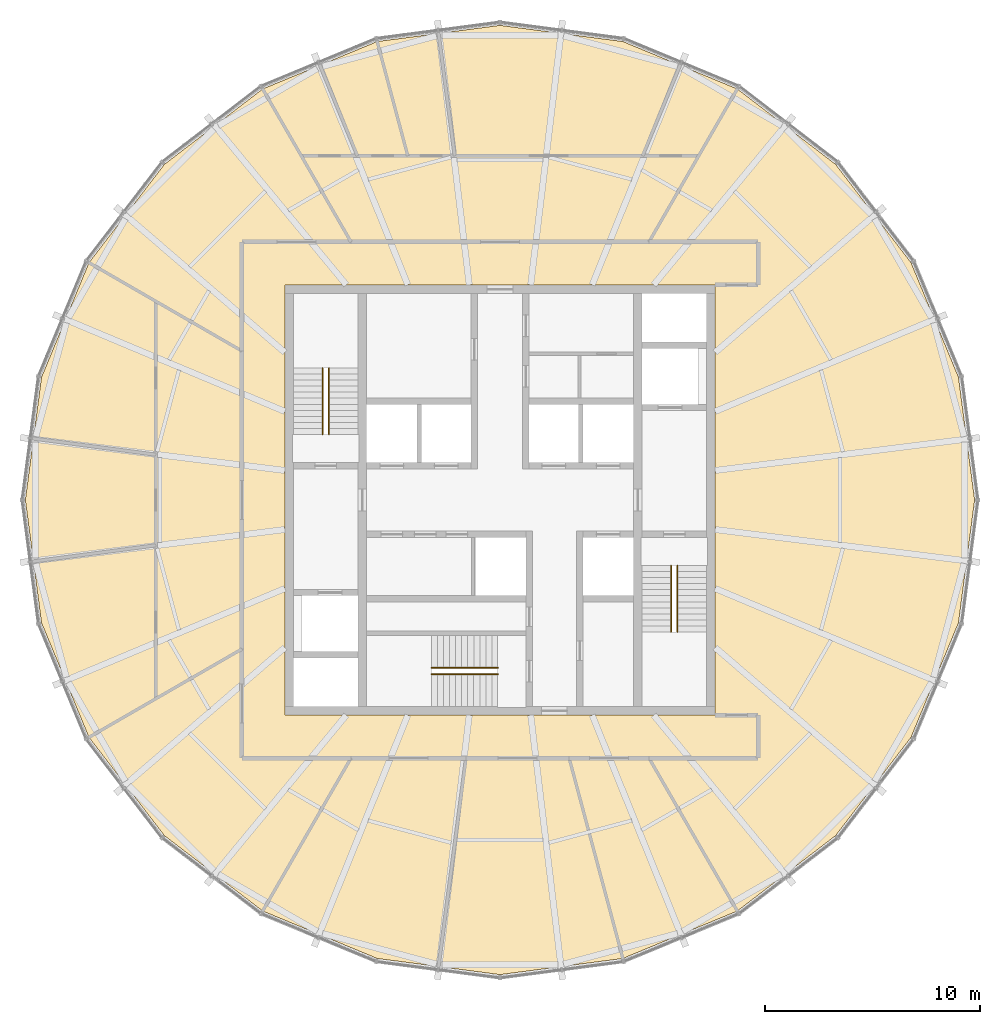
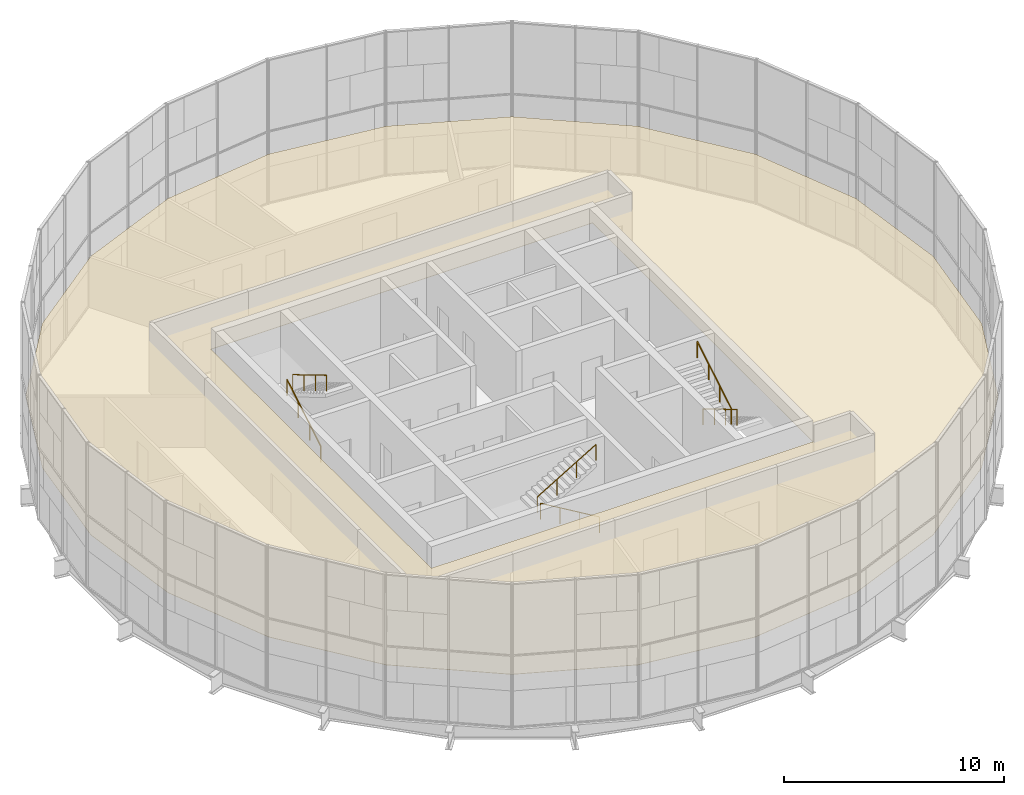
# One storey, part 19 of 19: 6 railings, 1 covering.
"""IFC4 building model written with IfcOpenShell, lengths in metres."""

from ifc_helpers import new_model, si_unit, direction, frame, origin, origin_2d, place, context, subcontext, project, spatial, polyline, circle, outline, extrude, material, layer, layer_set, type_object, element, save


model = new_model("IFC4")

# Units and contexts
model_context = context("Model", 3, precision=1e-05, world=origin(), true_north=direction((0.0, 1.0)))
body_context = subcontext(model_context, "Body", "Model", "MODEL_VIEW")
ifc_project = project(units=[si_unit("LENGTHUNIT", "METRE"), si_unit("AREAUNIT", "SQUARE_METRE"), si_unit("VOLUMEUNIT", "CUBIC_METRE"), si_unit("PLANEANGLEUNIT", "RADIAN"), si_unit("MASSUNIT", "GRAM", prefix="KILO")], contexts=[model_context])

# Site, building, storey
site_placement = place(None, origin())
site = spatial("IfcSite", under=ifc_project, at=site_placement, CompositionType="ELEMENT")
building_placement = place(site_placement, origin())
building = spatial("IfcBuilding", under=site, at=building_placement, Name="Golbaran Civic Tower", CompositionType="ELEMENT")
storey_placement = place(building_placement, frame((0.0, 0.0, 256.0)))
storey = spatial("IfcBuildingStorey", under=building, at=storey_placement, Name="L62", CompositionType="ELEMENT", Elevation=256.0)

# Railings
ifc_material_1 = material(Name="Stainless steel", Category="steel")
railing_type = type_object("IfcRailingType", Name="STAIR HANDRAIL 900", PredefinedType="HANDRAIL", material=ifc_material_1)
railing_1_placement = place(storey_placement, frame((-8.25, 3.050048828125, 0.166748046875)))
element("IfcRailing", 1, at=railing_1_placement, inside=storey, type_object=railing_type, Name="Stair S1 handrail flight 1 L62", PredefinedType="HANDRAIL", context=body_context, shape_type="SweptSolid", body=[
    extrude(circle(Radius=0.02392578125, at=origin_2d()), frame((0.0, 0.0, 0.8759765625), z_axis=(0.0, 0.859290745958, 0.51148745235), x_axis=(-1.0, 0.0, 0.0)), (0.0, 0.0, 1.0), 3.584228515625),
    extrude(circle(Radius=0.02099609375, at=origin_2d()), origin(), (0.0, 0.0, 1.0), 0.851806640625),
    extrude(circle(Radius=0.02099609375, at=origin_2d()), frame((0.0, 1.026611328125, 0.611083984375)), (0.0, 0.0, 1.0), 0.851806640625),
    extrude(circle(Radius=0.02099609375, at=origin_2d()), frame((0.0, 2.05322265625, 1.22216796875)), (0.0, 0.0, 1.0), 0.851806640625),
    extrude(circle(Radius=0.02099609375, at=origin_2d()), frame((0.0, 3.079833984375, 1.833251953125)), (0.0, 0.0, 1.0), 0.851806640625),
])
for number, where, name in (
    (2, (-7.949951171875, 6.1298828125, 2.166748046875), "Stair S1 handrail flight 2 L62"),
    (3, (8.25, -3.050048828125, 0.166748046875), "Stair S2 handrail flight 1 L62"),
):
    element("IfcRailing", number, at=place(storey_placement, frame(where)), inside=storey, type_object=railing_type, Name=name, PredefinedType="HANDRAIL", context=body_context, shape_type="SweptSolid", body=[
        extrude(circle(Radius=0.02392578125, at=origin_2d()), frame((0.0, 0.0, 0.8759765625), z_axis=(0.0, -0.859290745958, 0.51148745235), x_axis=(1.0, 0.0, 0.0)), (0.0, 0.0, 1.0), 3.584228515625),
        extrude(circle(Radius=0.02099609375, at=origin_2d()), origin(), (0.0, 0.0, 1.0), 0.851806640625),
        extrude(circle(Radius=0.02099609375, at=origin_2d()), frame((0.0, -1.026611328125, 0.611083984375)), (0.0, 0.0, 1.0), 0.851806640625),
        extrude(circle(Radius=0.02099609375, at=origin_2d()), frame((0.0, -2.05322265625, 1.22216796875)), (0.0, 0.0, 1.0), 0.851806640625),
        extrude(circle(Radius=0.02099609375, at=origin_2d()), frame((0.0, -3.079833984375, 1.833251953125)), (0.0, 0.0, 1.0), 0.851806640625),
    ])
railing_2_placement = place(storey_placement, frame((7.949951171875, -6.1298828125, 2.166748046875)))
element("IfcRailing", 4, at=railing_2_placement, inside=storey, type_object=railing_type, Name="Stair S2 handrail flight 2 L62", PredefinedType="HANDRAIL", context=body_context, shape_type="SweptSolid", body=[
    extrude(circle(Radius=0.02392578125, at=origin_2d()), frame((0.0, 0.0, 0.8759765625), z_axis=(0.0, 0.859290745958, 0.51148745235), x_axis=(-1.0, 0.0, 0.0)), (0.0, 0.0, 1.0), 3.584228515625),
    extrude(circle(Radius=0.02099609375, at=origin_2d()), origin(), (0.0, 0.0, 1.0), 0.851806640625),
    extrude(circle(Radius=0.02099609375, at=origin_2d()), frame((0.0, 1.026611328125, 0.611083984375)), (0.0, 0.0, 1.0), 0.851806640625),
    extrude(circle(Radius=0.02099609375, at=origin_2d()), frame((0.0, 2.05322265625, 1.22216796875)), (0.0, 0.0, 1.0), 0.851806640625),
    extrude(circle(Radius=0.02099609375, at=origin_2d()), frame((0.0, 3.079833984375, 1.833251953125)), (0.0, 0.0, 1.0), 0.851806640625),
])
railing_3_placement = place(storey_placement, frame((-0.10009765625, -8.10009765625, 0.166748046875)))
element("IfcRailing", 5, at=railing_3_placement, inside=storey, type_object=railing_type, Name="Stair S3 handrail flight 1 L62", PredefinedType="HANDRAIL", context=body_context, shape_type="SweptSolid", body=[
    extrude(circle(Radius=0.02392578125, at=origin_2d()), frame((0.0, 0.0, 0.8759765625), z_axis=(-0.859290745958, 0.0, 0.51148745235), x_axis=(0.0, -1.0, 0.0)), (0.0, 0.0, 1.0), 3.584228515625),
    extrude(circle(Radius=0.02099609375, at=origin_2d()), origin(), (0.0, 0.0, 1.0), 0.851806640625),
    extrude(circle(Radius=0.02099609375, at=origin_2d()), frame((-1.026611328125, 0.0, 0.611083984375)), (0.0, 0.0, 1.0), 0.851806640625),
    extrude(circle(Radius=0.02099609375, at=origin_2d()), frame((-2.05322265625, 0.0, 1.22216796875)), (0.0, 0.0, 1.0), 0.851806640625),
    extrude(circle(Radius=0.02099609375, at=origin_2d()), frame((-3.079833984375, 0.0, 1.833251953125)), (0.0, 0.0, 1.0), 0.851806640625),
])
railing_4_placement = place(storey_placement, frame((-3.179931640625, -7.800048828125, 2.166748046875)))
element("IfcRailing", 6, at=railing_4_placement, inside=storey, type_object=railing_type, Name="Stair S3 handrail flight 2 L62", PredefinedType="HANDRAIL", context=body_context, shape_type="SweptSolid", body=[
    extrude(circle(Radius=0.02392578125, at=origin_2d()), frame((0.0, 0.0, 0.8759765625), z_axis=(0.859290745958, 0.0, 0.51148745235), x_axis=(0.0, 1.0, 0.0)), (0.0, 0.0, 1.0), 3.584228515625),
    extrude(circle(Radius=0.02099609375, at=origin_2d()), origin(), (0.0, 0.0, 1.0), 0.851806640625),
    extrude(circle(Radius=0.02099609375, at=origin_2d()), frame((1.026611328125, 0.0, 0.611083984375)), (0.0, 0.0, 1.0), 0.851806640625),
    extrude(circle(Radius=0.02099609375, at=origin_2d()), frame((2.05322265625, 0.0, 1.22216796875)), (0.0, 0.0, 1.0), 0.851806640625),
    extrude(circle(Radius=0.02099609375, at=origin_2d()), frame((3.079833984375, 0.0, 1.833251953125)), (0.0, 0.0, 1.0), 0.851806640625),
])

# Covering
ifc_material_2 = material(Name="Mineral fibre tile on steel grid", Category="steel")
ifc_layer = layer(ifc_material_2, 0.02001953125, Name="Mineral fibre tile on steel grid")
ifc_layer_set = layer_set([ifc_layer], Name="Mineral fibre tile on steel grid")
covering_type = type_object("IfcCoveringType", Name="SUSPENDED CEILING 600 TILE 20", PredefinedType="CEILING", material=ifc_layer_set)
covering_placement = place(storey_placement, frame((0.0, 0.0, 2.800048828125)))
element("IfcCovering", 7, at=covering_placement, inside=storey, type_object=covering_type, Name="Suspended ceiling L62", PredefinedType="CEILING", context=body_context, shape_type="SweptSolid", body=[
    extrude(outline(polyline([(-19.107177734375, 11.031494140625), (-15.600830078125, 15.600830078125), (-11.031494140625, 19.107177734375), (-5.710205078125, 21.311279296875), (-3.00390625, 21.66748046875), (0.0, 22.06298828125), (5.710205078125, 21.311279296875), (11.031494140625, 19.107177734375), (15.600830078125, 15.600830078125), (19.107177734375, 11.031494140625), (21.311279296875, 5.710205078125), (22.06298828125, 0.0), (21.311279296875, -5.710205078125), (19.107177734375, -11.031494140625), (15.600830078125, -15.600830078125), (11.031494140625, -19.107177734375), (5.710205078125, -21.311279296875), (0.0, -22.06298828125), (-5.710205078125, -21.311279296875), (-11.031494140625, -19.107177734375), (-15.600830078125, -15.600830078125), (-19.107177734375, -11.031494140625), (-21.311279296875, -5.710205078125), (-21.66748046875, -3.00390625), (-22.06298828125, 0.0), (-21.311279296875, 5.710205078125), (-19.107177734375, 11.031494140625)]), holes=[polyline([(-10.0, 10.0), (-10.0, -10.0), (10.0, -10.0), (10.0, 10.0), (-10.0, 10.0)])]), origin(), (0.0, 0.0, 1.0), 0.02001953125),
])

save(model, "model.ifc")
